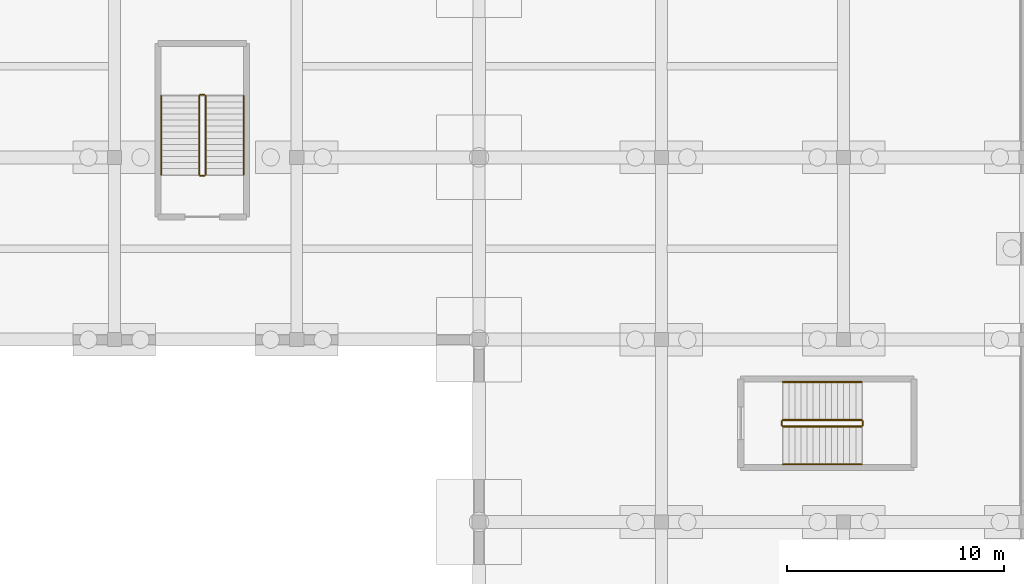
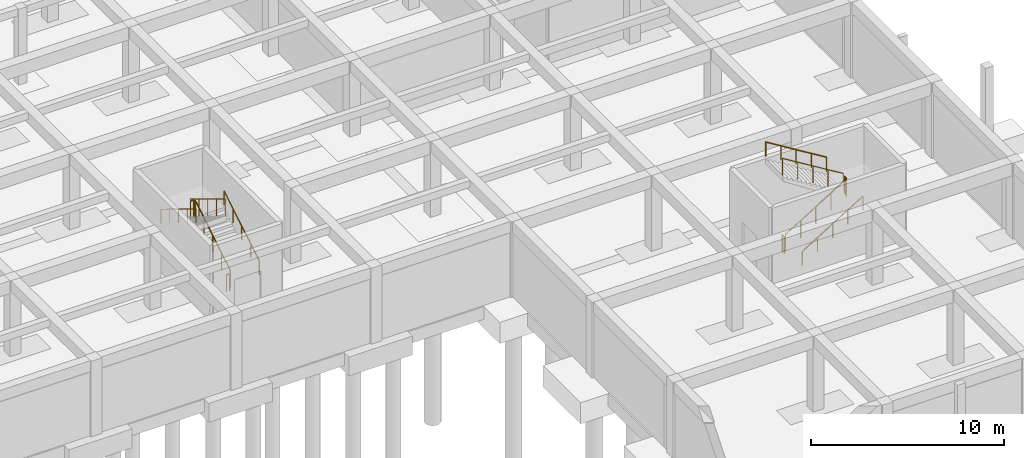
# One storey, part 46 of 51: 12 railings.
"""IFC4 building model written with IfcOpenShell, lengths in metres."""

from ifc_helpers import new_model, si_unit, direction, frame, origin, origin_2d, place, context, subcontext, project, spatial, circle, extrude, material, type_object, element, save


model = new_model("IFC4")

# Units and contexts
model_context = context("Model", 3, precision=1e-05, world=origin(), true_north=direction((0.0, 1.0)))
body_context = subcontext(model_context, "Body", "Model", "MODEL_VIEW")
ifc_project = project(units=[si_unit("LENGTHUNIT", "METRE"), si_unit("AREAUNIT", "SQUARE_METRE"), si_unit("VOLUMEUNIT", "CUBIC_METRE"), si_unit("PLANEANGLEUNIT", "RADIAN"), si_unit("MASSUNIT", "GRAM", prefix="KILO")], contexts=[model_context])

# Site, building, storey
site_placement = place(None, origin())
site = spatial("IfcSite", under=ifc_project, at=site_placement, CompositionType="ELEMENT")
building_placement = place(site_placement, origin())
building = spatial("IfcBuilding", under=site, at=building_placement, Name="Varncliffe General Hospital", CompositionType="ELEMENT")
storey_placement = place(building_placement, frame((0.0, 0.0, -4.800048828125)))
storey = spatial("IfcBuildingStorey", under=building, at=storey_placement, Name="B1", CompositionType="ELEMENT", Elevation=-4.800048828125)

# Railings
ifc_material = material(Name="Powder-coated hospital steel guardrail and handrail", Category="steel")
railing_type_1 = type_object("IfcRailingType", Name="Stair and Ramp Handrail HR46", PredefinedType="HANDRAIL", material=ifc_material)
railing_1_placement = place(storey_placement, frame((165.199951171875, 18.25, 0.346923828125)))
element("IfcRailing", 1, at=railing_1_placement, inside=storey, type_object=railing_type_1, Name="B1 ST11 stair handrail 1", PredefinedType="HANDRAIL", context=body_context, shape_type="SweptSolid", body=[
    extrude(circle(Radius=0.02392578125, at=origin_2d()), frame((0.0, 0.0, 0.8759765625), z_axis=(0.852865859571, 0.0, 0.52213008492), x_axis=(0.0, 1.0, 0.0)), (0.0, 0.0, 1.0), 4.26806640625),
    extrude(circle(Radius=0.02099609375, at=origin_2d()), origin(), (0.0, 0.0, 1.0), 0.851806640625),
    extrude(circle(Radius=0.02099609375, at=origin_2d()), frame((0.91015625, 0.0, 0.55712890625)), (0.0, 0.0, 1.0), 0.851806640625),
    extrude(circle(Radius=0.02099609375, at=origin_2d()), frame((1.820068359375, 0.0, 1.1142578125)), (0.0, 0.0, 1.0), 0.851806640625),
    extrude(circle(Radius=0.02099609375, at=origin_2d()), frame((2.72998046875, 0.0, 1.67138671875)), (0.0, 0.0, 1.0), 0.851806640625),
    extrude(circle(Radius=0.02099609375, at=origin_2d()), frame((3.64013671875, 0.0, 2.228515625)), (0.0, 0.0, 1.0), 0.851806640625),
])
railing_2_placement = place(storey_placement, frame((168.840087890625, 22.050048828125, 2.746826171875)))
element("IfcRailing", 2, at=railing_2_placement, inside=storey, type_object=railing_type_1, Name="B1 ST11 stair handrail 2", PredefinedType="HANDRAIL", context=body_context, shape_type="SweptSolid", body=[
    extrude(circle(Radius=0.02392578125, at=origin_2d()), frame((0.0, 0.0, 0.8759765625), z_axis=(-0.852840387347, 0.0, 0.522171689878), x_axis=(0.0, -1.0, 0.0)), (0.0, 0.0, 1.0), 4.268310546875),
    extrude(circle(Radius=0.02099609375, at=origin_2d()), origin(), (0.0, 0.0, 1.0), 0.851806640625),
    extrude(circle(Radius=0.02099609375, at=origin_2d()), frame((-0.91015625, 0.0, 0.55712890625)), (0.0, 0.0, 1.0), 0.851806640625),
    extrude(circle(Radius=0.02099609375, at=origin_2d()), frame((-1.820068359375, 0.0, 1.1142578125)), (0.0, 0.0, 1.0), 0.851806640625),
    extrude(circle(Radius=0.02099609375, at=origin_2d()), frame((-2.72998046875, 0.0, 1.671630859375)), (0.0, 0.0, 1.0), 0.851806640625),
    extrude(circle(Radius=0.02099609375, at=origin_2d()), frame((-3.64013671875, 0.0, 2.228759765625)), (0.0, 0.0, 1.0), 0.851806640625),
])
railing_3_placement = place(storey_placement, frame((140.35009765625, 31.60009765625, 0.346923828125)))
element("IfcRailing", 3, at=railing_3_placement, inside=storey, type_object=railing_type_1, Name="B1 ST15 stair handrail 1", PredefinedType="HANDRAIL", context=body_context, shape_type="SweptSolid", body=[
    extrude(circle(Radius=0.02392578125, at=origin_2d()), frame((0.0, 0.0, 0.8759765625), z_axis=(0.0, 0.852850264322, 0.5221555579), x_axis=(-1.0, 0.0, 0.0)), (0.0, 0.0, 1.0), 4.267822265625),
    extrude(circle(Radius=0.02099609375, at=origin_2d()), origin(), (0.0, 0.0, 1.0), 0.851806640625),
    extrude(circle(Radius=0.02099609375, at=origin_2d()), frame((0.0, 0.909912109375, 0.55712890625)), (0.0, 0.0, 1.0), 0.851806640625),
    extrude(circle(Radius=0.02099609375, at=origin_2d()), frame((0.0, 1.81982421875, 1.1142578125)), (0.0, 0.0, 1.0), 0.851806640625),
    extrude(circle(Radius=0.02099609375, at=origin_2d()), frame((0.0, 2.72998046875, 1.67138671875)), (0.0, 0.0, 1.0), 0.851806640625),
    extrude(circle(Radius=0.02099609375, at=origin_2d()), frame((0.0, 3.639892578125, 2.228515625)), (0.0, 0.0, 1.0), 0.851806640625),
])
railing_4_placement = place(storey_placement, frame((136.550048828125, 35.239990234375, 2.746826171875)))
element("IfcRailing", 4, at=railing_4_placement, inside=storey, type_object=railing_type_1, Name="B1 ST15 stair handrail 2", PredefinedType="HANDRAIL", context=body_context, shape_type="SweptSolid", body=[
    extrude(circle(Radius=0.02392578125, at=origin_2d()), frame((0.0, 0.0, 0.8759765625), z_axis=(0.0, -0.852824790078, 0.522197163366), x_axis=(1.0, 0.0, 0.0)), (0.0, 0.0, 1.0), 4.26806640625),
    extrude(circle(Radius=0.02099609375, at=origin_2d()), origin(), (0.0, 0.0, 1.0), 0.851806640625),
    extrude(circle(Radius=0.02099609375, at=origin_2d()), frame((0.0, -0.909912109375, 0.55712890625)), (0.0, 0.0, 1.0), 0.851806640625),
    extrude(circle(Radius=0.02099609375, at=origin_2d()), frame((0.0, -1.81982421875, 1.1142578125)), (0.0, 0.0, 1.0), 0.851806640625),
    extrude(circle(Radius=0.02099609375, at=origin_2d()), frame((0.0, -2.72998046875, 1.671630859375)), (0.0, 0.0, 1.0), 0.851806640625),
    extrude(circle(Radius=0.02099609375, at=origin_2d()), frame((0.0, -3.639892578125, 2.228759765625)), (0.0, 0.0, 1.0), 0.851806640625),
])
railing_type_2 = type_object("IfcRailingType", Name="Stairwell Guardrail SG49", PredefinedType="GUARDRAIL", material=ifc_material)
railing_5_placement = place(storey_placement, frame((165.199951171875, 20.0, 0.17138671875)))
element("IfcRailing", 5, at=railing_5_placement, inside=storey, type_object=railing_type_2, Name="B1 ST11 stair guard 1", PredefinedType="GUARDRAIL", context=body_context, shape_type="SweptSolid", body=[
    extrude(circle(Radius=0.02392578125, at=origin_2d()), frame((0.0, 0.0, 1.076171875), z_axis=(0.852840387347, 0.0, 0.522171689878), x_axis=(0.0, 1.0, 0.0)), (0.0, 0.0, 1.0), 4.268310546875),
    extrude(circle(Radius=0.02099609375, at=origin_2d()), origin(), (0.0, 0.0, 1.0), 1.052001953125),
    extrude(circle(Radius=0.02099609375, at=origin_2d()), frame((0.91015625, 0.0, 0.55712890625)), (0.0, 0.0, 1.0), 1.052001953125),
    extrude(circle(Radius=0.02099609375, at=origin_2d()), frame((1.820068359375, 0.0, 1.1142578125)), (0.0, 0.0, 1.0), 1.052001953125),
    extrude(circle(Radius=0.02099609375, at=origin_2d()), frame((2.72998046875, 0.0, 1.671630859375)), (0.0, 0.0, 1.0), 1.052001953125),
    extrude(circle(Radius=0.02099609375, at=origin_2d()), frame((3.64013671875, 0.0, 2.228759765625)), (0.0, 0.0, 1.0), 1.052001953125),
])
railing_6_placement = place(storey_placement, frame((168.889892578125, 20.050048828125, 2.400146484375)))
element("IfcRailing", 6, at=railing_6_placement, inside=storey, type_object=railing_type_2, Name="B1 ST11 stair guard 2", PredefinedType="GUARDRAIL", context=body_context, shape_type="SweptSolid", body=[
    extrude(circle(Radius=0.02392578125, at=origin_2d()), frame((0.0, 0.0, 1.076171875), z_axis=(0.0, 1.0, 0.0), x_axis=(-1.0, 0.0, 0.0)), (0.0, 0.0, 1.0), 0.199951171875),
    extrude(circle(Radius=0.02099609375, at=origin_2d()), origin(), (0.0, 0.0, 1.0), 1.052001953125),
    extrude(circle(Radius=0.02099609375, at=origin_2d()), frame((0.0, 0.199951171875, 0.0)), (0.0, 0.0, 1.0), 1.052001953125),
])
railing_7_placement = place(storey_placement, frame((168.840087890625, 20.300048828125, 2.571533203125)))
element("IfcRailing", 7, at=railing_7_placement, inside=storey, type_object=railing_type_2, Name="B1 ST11 stair guard 3", PredefinedType="GUARDRAIL", context=body_context, shape_type="SweptSolid", body=[
    extrude(circle(Radius=0.02392578125, at=origin_2d()), frame((0.0, 0.0, 1.076171875), z_axis=(-0.852865859571, 0.0, 0.52213008492), x_axis=(0.0, -1.0, 0.0)), (0.0, 0.0, 1.0), 4.26806640625),
    extrude(circle(Radius=0.02099609375, at=origin_2d()), origin(), (0.0, 0.0, 1.0), 1.052001953125),
    extrude(circle(Radius=0.02099609375, at=origin_2d()), frame((-0.91015625, 0.0, 0.55712890625)), (0.0, 0.0, 1.0), 1.052001953125),
    extrude(circle(Radius=0.02099609375, at=origin_2d()), frame((-1.820068359375, 0.0, 1.1142578125)), (0.0, 0.0, 1.0), 1.052001953125),
    extrude(circle(Radius=0.02099609375, at=origin_2d()), frame((-2.72998046875, 0.0, 1.67138671875)), (0.0, 0.0, 1.0), 1.052001953125),
    extrude(circle(Radius=0.02099609375, at=origin_2d()), frame((-3.64013671875, 0.0, 2.228515625)), (0.0, 0.0, 1.0), 1.052001953125),
])
railing_8_placement = place(storey_placement, frame((165.14990234375, 20.050048828125, 0.0)))
element("IfcRailing", 8, at=railing_8_placement, inside=storey, type_object=railing_type_2, Name="B1 ST11 stair guard 4", PredefinedType="GUARDRAIL", context=body_context, shape_type="SweptSolid", body=[
    extrude(circle(Radius=0.02392578125, at=origin_2d()), frame((0.0, 0.0, 1.076171875), z_axis=(0.0, 1.0, 0.0), x_axis=(-1.0, 0.0, 0.0)), (0.0, 0.0, 1.0), 0.199951171875),
    extrude(circle(Radius=0.02099609375, at=origin_2d()), origin(), (0.0, 0.0, 1.0), 1.052001953125),
    extrude(circle(Radius=0.02099609375, at=origin_2d()), frame((0.0, 0.199951171875, 0.0)), (0.0, 0.0, 1.0), 1.052001953125),
])
railing_9_placement = place(storey_placement, frame((138.60009765625, 31.60009765625, 0.17138671875)))
element("IfcRailing", 9, at=railing_9_placement, inside=storey, type_object=railing_type_2, Name="B1 ST15 stair guard 1", PredefinedType="GUARDRAIL", context=body_context, shape_type="SweptSolid", body=[
    extrude(circle(Radius=0.02392578125, at=origin_2d()), frame((0.0, 0.0, 1.076171875), z_axis=(0.0, 0.852824790078, 0.522197163366), x_axis=(-1.0, 0.0, 0.0)), (0.0, 0.0, 1.0), 4.26806640625),
    extrude(circle(Radius=0.02099609375, at=origin_2d()), origin(), (0.0, 0.0, 1.0), 1.052001953125),
    extrude(circle(Radius=0.02099609375, at=origin_2d()), frame((0.0, 0.909912109375, 0.55712890625)), (0.0, 0.0, 1.0), 1.052001953125),
    extrude(circle(Radius=0.02099609375, at=origin_2d()), frame((0.0, 1.81982421875, 1.1142578125)), (0.0, 0.0, 1.0), 1.052001953125),
    extrude(circle(Radius=0.02099609375, at=origin_2d()), frame((0.0, 2.72998046875, 1.671630859375)), (0.0, 0.0, 1.0), 1.052001953125),
    extrude(circle(Radius=0.02099609375, at=origin_2d()), frame((0.0, 3.639892578125, 2.228759765625)), (0.0, 0.0, 1.0), 1.052001953125),
])
railing_10_placement = place(storey_placement, frame((138.550048828125, 35.2900390625, 2.400146484375)))
element("IfcRailing", 10, at=railing_10_placement, inside=storey, type_object=railing_type_2, Name="B1 ST15 stair guard 2", PredefinedType="GUARDRAIL", context=body_context, shape_type="SweptSolid", body=[
    extrude(circle(Radius=0.02392578125, at=origin_2d()), frame((0.0, 0.0, 1.076171875), z_axis=(-1.0, 0.0, 0.0), x_axis=(0.0, -1.0, 0.0)), (0.0, 0.0, 1.0), 0.199951171875),
    extrude(circle(Radius=0.02099609375, at=origin_2d()), origin(), (0.0, 0.0, 1.0), 1.052001953125),
    extrude(circle(Radius=0.02099609375, at=origin_2d()), frame((-0.199951171875, 0.0, 0.0)), (0.0, 0.0, 1.0), 1.052001953125),
])
railing_11_placement = place(storey_placement, frame((138.300048828125, 35.239990234375, 2.571533203125)))
element("IfcRailing", 11, at=railing_11_placement, inside=storey, type_object=railing_type_2, Name="B1 ST15 stair guard 3", PredefinedType="GUARDRAIL", context=body_context, shape_type="SweptSolid", body=[
    extrude(circle(Radius=0.02392578125, at=origin_2d()), frame((0.0, 0.0, 1.076171875), z_axis=(0.0, -0.852850264322, 0.5221555579), x_axis=(1.0, 0.0, 0.0)), (0.0, 0.0, 1.0), 4.267822265625),
    extrude(circle(Radius=0.02099609375, at=origin_2d()), origin(), (0.0, 0.0, 1.0), 1.052001953125),
    extrude(circle(Radius=0.02099609375, at=origin_2d()), frame((0.0, -0.909912109375, 0.55712890625)), (0.0, 0.0, 1.0), 1.052001953125),
    extrude(circle(Radius=0.02099609375, at=origin_2d()), frame((0.0, -1.81982421875, 1.1142578125)), (0.0, 0.0, 1.0), 1.052001953125),
    extrude(circle(Radius=0.02099609375, at=origin_2d()), frame((0.0, -2.72998046875, 1.67138671875)), (0.0, 0.0, 1.0), 1.052001953125),
    extrude(circle(Radius=0.02099609375, at=origin_2d()), frame((0.0, -3.639892578125, 2.228515625)), (0.0, 0.0, 1.0), 1.052001953125),
])
railing_12_placement = place(storey_placement, frame((138.550048828125, 31.550048828125, 0.0)))
element("IfcRailing", 12, at=railing_12_placement, inside=storey, type_object=railing_type_2, Name="B1 ST15 stair guard 4", PredefinedType="GUARDRAIL", context=body_context, shape_type="SweptSolid", body=[
    extrude(circle(Radius=0.02392578125, at=origin_2d()), frame((0.0, 0.0, 1.076171875), z_axis=(-1.0, 0.0, 0.0), x_axis=(0.0, -1.0, 0.0)), (0.0, 0.0, 1.0), 0.199951171875),
    extrude(circle(Radius=0.02099609375, at=origin_2d()), origin(), (0.0, 0.0, 1.0), 1.052001953125),
    extrude(circle(Radius=0.02099609375, at=origin_2d()), frame((-0.199951171875, 0.0, 0.0)), (0.0, 0.0, 1.0), 1.052001953125),
])

save(model, "model.ifc")
